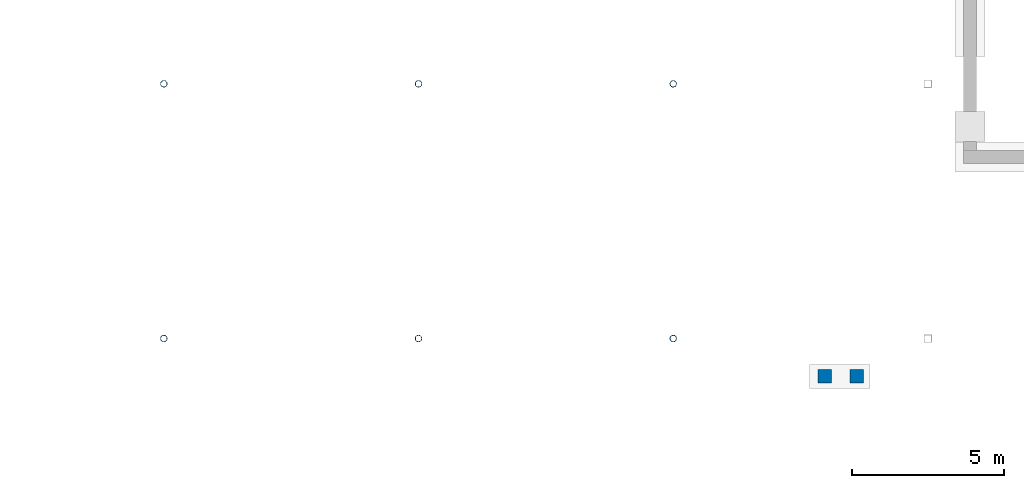
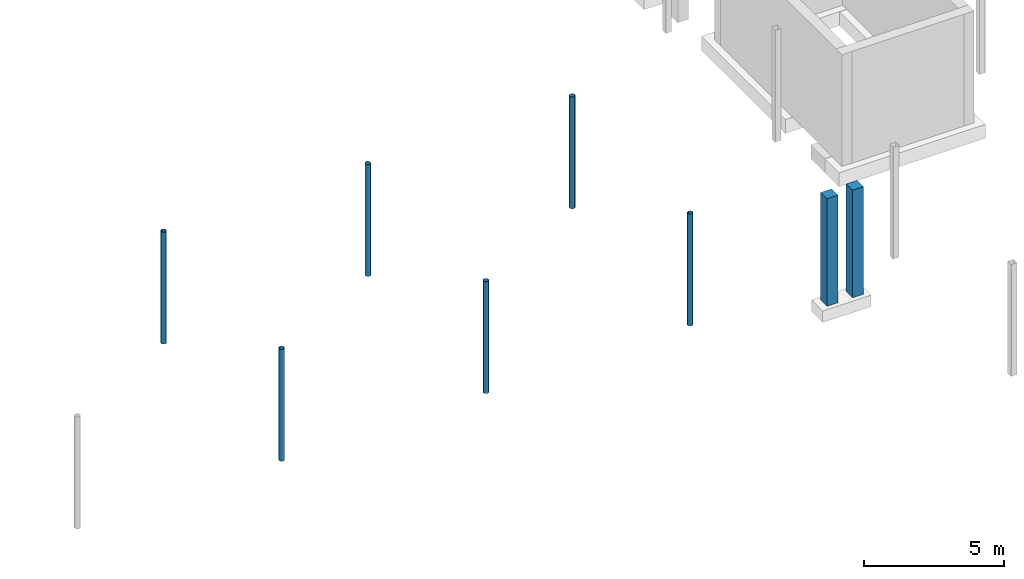
# One storey, part 22 of 39: 8 columns.
"""IFC4 building model written with IfcOpenShell, lengths in metres."""

from ifc_helpers import new_model, si_unit, derived_unit, direction, frame, origin, origin_2d, place, context, subcontext, project, spatial, rectangle, hollow_circle, extrude, material, material_profile, profile_set, type_object, element, save


model = new_model("IFC4")

# Units and contexts
model_context = context("Model", 3, precision=1e-05, world=origin(), true_north=direction((0.0, 1.0)))
body_context = subcontext(model_context, "Body", "Model", "MODEL_VIEW")
ifc_project = project(units=[si_unit("LENGTHUNIT", "METRE"), si_unit("AREAUNIT", "SQUARE_METRE"), si_unit("VOLUMEUNIT", "CUBIC_METRE"), si_unit("PLANEANGLEUNIT", "RADIAN"), si_unit("MASSUNIT", "GRAM", prefix="KILO"), derived_unit("THERMALTRANSMITTANCEUNIT", [(si_unit("POWERUNIT", "WATT"), 1), (si_unit("LENGTHUNIT", "METRE"), -2), (si_unit("THERMODYNAMICTEMPERATUREUNIT", "KELVIN"), -1)])], contexts=[model_context])

# Site, building, storey
site_placement = place(None, origin())
site = spatial("IfcSite", under=ifc_project, at=site_placement, CompositionType="ELEMENT")
building_placement = place(site_placement, origin())
building = spatial("IfcBuilding", under=site, at=building_placement, Name="Barrovel Congress Hotel", CompositionType="ELEMENT")
storey_placement = place(building_placement, frame((0.0, 0.0, -4.5)))
storey = spatial("IfcBuildingStorey", under=building, at=storey_placement, Name="B01", CompositionType="ELEMENT", Elevation=-4.5)

# Columns
ifc_material_1 = material(Name="Concrete C40", Category="concrete")
ifc_material_profile_1 = material_profile(ifc_material_1, rectangle(XDim=0.449951171875, YDim=0.449951171875, at=origin_2d()), Name="RC450x450")
ifc_profile_set_1 = profile_set([ifc_material_profile_1], Name="Concrete C40")
column_type_1 = type_object("IfcColumnType", Name="COL-RC450x450", PredefinedType="COLUMN", material=ifc_profile_set_1)
for number, where, z_axis, x_axis, name in (
    (1, (123.64990234375, 95.35009765625, -0.360107421875), (0.0, 0.0, 1.0), (1.0, 0.0, 0.0), "COL:PAV-COURT-WALK-E:3"),
    (2, (122.60009765625, 95.35009765625, -0.360107421875), (0.0, 0.0, 1.0), (1.0, 0.0, 0.0), "COL:PAV-COURT-WALK-E:4"),
):
    element("IfcColumn", number, at=place(storey_placement, frame(where, z_axis=z_axis, x_axis=x_axis)), inside=storey, type_object=column_type_1, Name=name, PredefinedType="COLUMN", context=body_context, shape_type="SweptSolid", body=[
        extrude(rectangle(XDim=0.449951171875, YDim=0.449951171875, at=origin_2d()), origin(), (0.0, 0.0, 1.0), 4.68017578125),
    ])
ifc_material_2 = material(Name="Steel ASTM A500 Grade C", Category="steel")
ifc_material_profile_2 = material_profile(ifc_material_2, hollow_circle(Radius=0.109619140625, WallThickness=0.0087890625, at=origin_2d()), Name="CHS219.1x9.5")
ifc_profile_set_2 = profile_set([ifc_material_profile_2], Name="Steel ASTM A500 Grade C")
column_type_2 = type_object("IfcColumnType", Name="SCOL-CHS219.1x9.5", PredefinedType="COLUMN", material=ifc_profile_set_2)
for number, where, z_axis, x_axis, name in (
    (3, (100.800048828125, 96.60009765625, -0.360107421875), (0.0, 0.0, 1.0), (1.0, 0.0, 0.0), "COL:B01:100.8:96.6"),
    (4, (100.800048828125, 105.0, -0.360107421875), (0.0, 0.0, 1.0), (1.0, 0.0, 0.0), "COL:B01:100.8:105.0"),
    (5, (109.199951171875, 96.60009765625, -0.360107421875), (0.0, 0.0, 1.0), (1.0, 0.0, 0.0), "COL:B01:109.2:96.6"),
    (6, (109.199951171875, 105.0, -0.360107421875), (0.0, 0.0, 1.0), (1.0, 0.0, 0.0), "COL:B01:109.2:105.0"),
    (7, (117.60009765625, 96.60009765625, -0.360107421875), (0.0, 0.0, 1.0), (1.0, 0.0, 0.0), "COL:B01:117.6:96.6"),
    (8, (117.60009765625, 105.0, -0.360107421875), (0.0, 0.0, 1.0), (1.0, 0.0, 0.0), "COL:B01:117.6:105.0"),
):
    element("IfcColumn", number, at=place(storey_placement, frame(where, z_axis=z_axis, x_axis=x_axis)), inside=storey, type_object=column_type_2, Name=name, PredefinedType="COLUMN", context=body_context, shape_type="SweptSolid", body=[
        extrude(hollow_circle(Radius=0.109619140625, WallThickness=0.0087890625, at=origin_2d()), origin(), (0.0, 0.0, 1.0), 4.860107421875),
    ])

save(model, "model.ifc")
